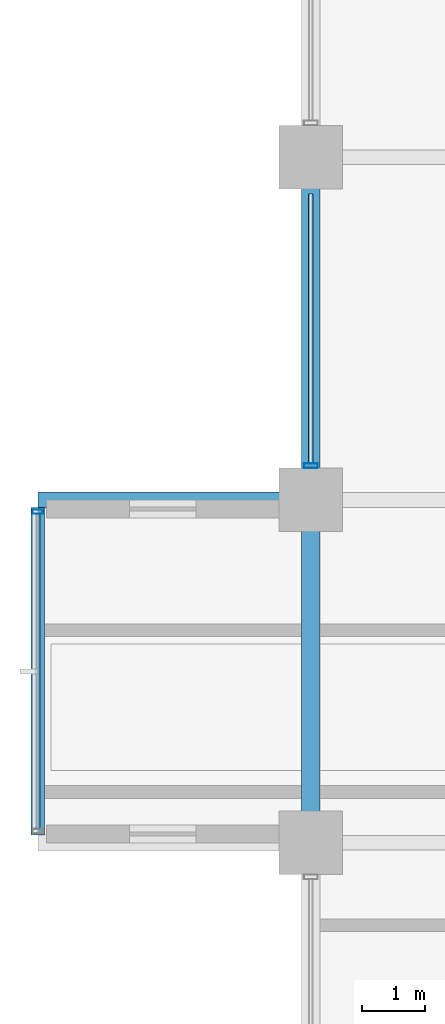
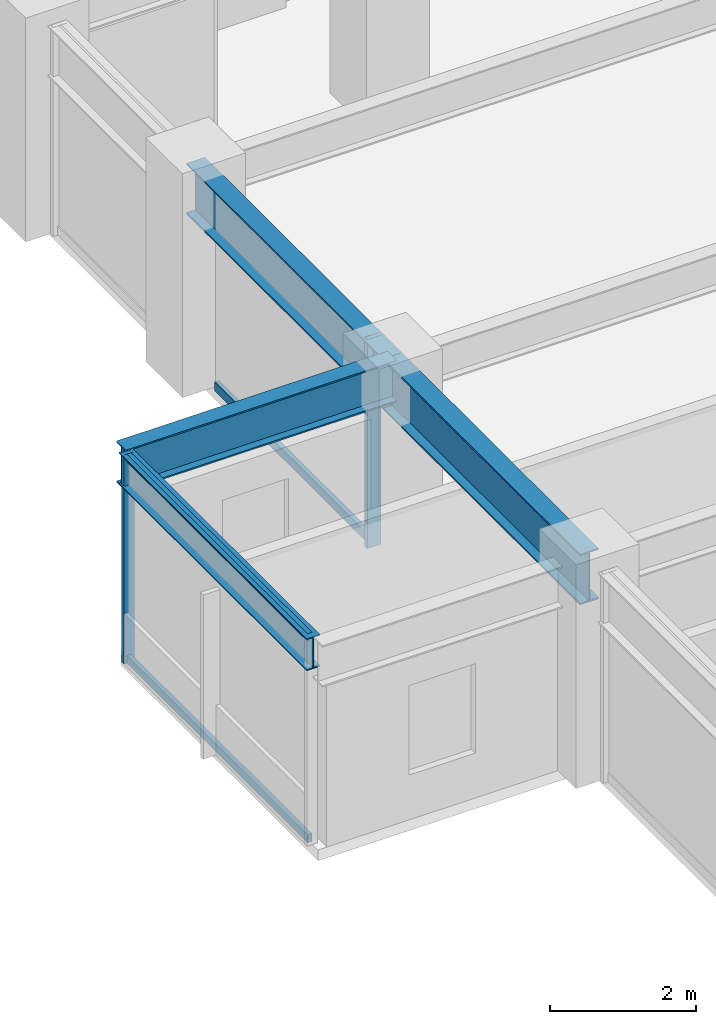
# One storey, part 10 of 29: 5 members, 4 beams, 2 elements without a shape of their own.
"""IFC4 building model written with IfcOpenShell, lengths in metres."""

from ifc_helpers import new_model, si_unit, direction, frame, origin, origin_2d, place, context, subcontext, project, spatial, hollow_rectangle, i_section, extrude, material, layer, layer_set, material_profile, profile_set, type_object, element, aggregate, save


model = new_model("IFC4")

# Units and contexts
model_context = context("Model", 3, precision=1e-05, world=origin(), true_north=direction((0.0, 1.0)))
body_context = subcontext(model_context, "Body", "Model", "MODEL_VIEW")
ifc_project = project(units=[si_unit("LENGTHUNIT", "METRE"), si_unit("AREAUNIT", "SQUARE_METRE"), si_unit("VOLUMEUNIT", "CUBIC_METRE"), si_unit("PLANEANGLEUNIT", "RADIAN"), si_unit("MASSUNIT", "GRAM", prefix="KILO")], contexts=[model_context])

# Site, building, storey
site_placement = place(None, origin())
site = spatial("IfcSite", under=ifc_project, at=site_placement, CompositionType="ELEMENT")
building_placement = place(site_placement, origin())
building = spatial("IfcBuilding", under=site, at=building_placement, Name="Surkhivell Harbour Commons", CompositionType="ELEMENT")
storey_placement = place(building_placement, frame((0.0, 0.0, 158.25)))
storey = spatial("IfcBuildingStorey", under=building, at=storey_placement, Name="L41", CompositionType="ELEMENT", Elevation=158.25)

# Beams
ifc_material_1 = material(Name="Steel S460", Category="steel")
ifc_material_profile_1 = material_profile(ifc_material_1, i_section(OverallWidth=0.256103515625, OverallDepth=0.693115234375, WebThickness=0.014404296875, FlangeThickness=0.023681640625, at=origin_2d()), Name="UB686x254x170")
ifc_profile_set_1 = profile_set([ifc_material_profile_1], Name="Steel S460")
beam_type_1 = type_object("IfcBeamType", Name="BM-CNT-686", PredefinedType="BEAM", material=ifc_profile_set_1)
beam_1_placement = place(storey_placement, frame((-32.39990234375, 10.800048828125, 3.153564453125), z_axis=(-1.0, 0.0, 0.0), x_axis=(0.0, -1.0, 0.0)))
element("IfcBeam", 1, at=beam_1_placement, inside=storey, type_object=beam_type_1, Name="L41 Box Cantilever Outrigger (-32.4,10.8)", PredefinedType="BEAM", context=body_context, shape_type="SweptSolid", body=[
    extrude(i_section(OverallWidth=0.256103515625, OverallDepth=0.693115234375, WebThickness=0.014404296875, FlangeThickness=0.023681640625, at=origin_2d()), origin(), (0.0, 0.0, 1.0), 4.300048828125),
])
ifc_material_2 = material(Name="Steel S355", Category="steel")
ifc_material_profile_2 = material_profile(ifc_material_2, i_section(OverallWidth=0.2099609375, OverallDepth=0.537109375, WebThickness=0.0107421875, FlangeThickness=0.017333984375, at=origin_2d()), Name="UB533x210x101")
ifc_profile_set_2 = profile_set([ifc_material_profile_2], Name="Steel S355")
beam_type_2 = type_object("IfcBeamType", Name="BM-GRD-533B", PredefinedType="BEAM", material=ifc_profile_set_2)
beam_2_placement = place(storey_placement, frame((-36.699951171875, 5.52197265625, 3.2314453125), z_axis=(0.0, 1.0, 0.0), x_axis=(-1.0, 0.0, 0.0)))
element("IfcBeam", 2, at=beam_2_placement, inside=storey, type_object=beam_type_2, Name="L41 Box Rim Spandrel (-36.7,5.4)", PredefinedType="BEAM", context=body_context, shape_type="SweptSolid", body=[
    extrude(i_section(OverallWidth=0.2099609375, OverallDepth=0.537109375, WebThickness=0.0107421875, FlangeThickness=0.017333984375, at=origin_2d()), origin(), (0.0, 0.0, 1.0), 5.156005859375),
])
ifc_material_profile_3 = material_profile(ifc_material_1, i_section(OverallWidth=0.2939453125, OverallDepth=0.85107421875, WebThickness=0.01611328125, FlangeThickness=0.02685546875, at=origin_2d()), Name="UB838x292x226")
ifc_profile_set_3 = profile_set([ifc_material_profile_3], Name="Steel S460")
beam_type_3 = type_object("IfcBeamType", Name="BM-SPN-838", PredefinedType="SPANDREL", material=ifc_profile_set_3)
beam_3_placement = place(storey_placement, frame((-32.39990234375, 5.39990234375, 3.074462890625), z_axis=(0.0, 1.0, 0.0), x_axis=(-1.0, 0.0, 0.0)))
element("IfcBeam", 3, at=beam_3_placement, inside=storey, type_object=beam_type_3, Name="L41 Tube Spandrel (-32.4,5.4)", PredefinedType="SPANDREL", context=body_context, shape_type="SweptSolid", body=[
    extrude(i_section(OverallWidth=0.2939453125, OverallDepth=0.85107421875, WebThickness=0.01611328125, FlangeThickness=0.02685546875, at=origin_2d()), origin(), (0.0, 0.0, 1.0), 5.400146484375),
])
beam_4_placement = place(storey_placement, frame((-32.39990234375, 10.800048828125, 3.074462890625), z_axis=(0.0, 1.0, 0.0), x_axis=(-1.0, 0.0, 0.0)))
element("IfcBeam", 4, at=beam_4_placement, inside=storey, type_object=beam_type_3, Name="L41 Tube Spandrel (-32.4,10.8)", PredefinedType="SPANDREL", context=body_context, shape_type="SweptSolid", body=[
    extrude(i_section(OverallWidth=0.2939453125, OverallDepth=0.85107421875, WebThickness=0.01611328125, FlangeThickness=0.02685546875, at=origin_2d()), origin(), (0.0, 0.0, 1.0), 5.39990234375),
])

# Curtain wall, member
ifc_material_3 = material(Name="Anodised pale-metal aluminium and insulated glazing", Category="aluminium")
ifc_layer_1 = layer(ifc_material_3, 0.1650390625)
ifc_layer_set_1 = layer_set([ifc_layer_1], Name="Anodised pale-metal aluminium and insulated glazing")
curtain_wall_type_1 = type_object("IfcCurtainWallType", Name="CW-SYS-BOX", PredefinedType="NOTDEFINED", material=ifc_layer_set_1)
curtain_wall_1_placement = place(storey_placement, origin())
curtain_wall_1 = element("IfcCurtainWall", 5, at=curtain_wall_1_placement, inside=storey, type_object=curtain_wall_type_1, Name="L41 Curtain Wall CW-L41-BOX02", PredefinedType="NOTDEFINED")
ifc_material_4 = material(Name="Champagne anodised aluminium alloy 6063-T6", Category="aluminium")
ifc_material_profile_4 = material_profile(ifc_material_4, hollow_rectangle(XDim=0.070068359375, YDim=0.1650390625, WallThickness=0.00341796875, at=origin_2d()), Name="ALU-MULL-70x165")
ifc_profile_set_4 = profile_set([ifc_material_profile_4], Name="Champagne anodised aluminium alloy 6063-T6")
member_type_1 = type_object("IfcMemberType", Name="CWM-165", PredefinedType="MULLION", material=ifc_profile_set_4)
member_1_placement = place(storey_placement, frame((-36.699951171875, 10.614990234375, 0.0), z_axis=(0.0, 0.0, 1.0), x_axis=(0.0, 1.0, 0.0)))
member_1 = element("IfcMember", 6, at=member_1_placement, type_object=member_type_1, Name="CW-BOX mullion 2", PredefinedType="MULLION", context=body_context, shape_type="SweptSolid", body=[
    extrude(hollow_rectangle(XDim=0.070068359375, YDim=0.1650390625, WallThickness=0.00341796875, at=origin_2d()), origin(), (0.0, 0.0, 1.0), 3.5),
])

ifc_layer_2 = layer(ifc_material_3, 0.205078125)
ifc_layer_set_2 = layer_set([ifc_layer_2], Name="Anodised pale-metal aluminium and insulated glazing")
curtain_wall_type_2 = type_object("IfcCurtainWallType", Name="CW-SYS-Z2", PredefinedType="NOTDEFINED", material=ifc_layer_set_2)
curtain_wall_2_placement = place(storey_placement, origin())
curtain_wall_2 = element("IfcCurtainWall", 7, at=curtain_wall_2_placement, inside=storey, type_object=curtain_wall_type_2, Name="L41 Curtain Wall CW-L41-E12R2", PredefinedType="NOTDEFINED")
ifc_material_5 = material(Name="Anodised pale-metal aluminium alloy 6063-T6", Category="aluminium")
ifc_material_profile_5 = material_profile(ifc_material_5, hollow_rectangle(XDim=0.074951171875, YDim=0.219970703125, WallThickness=0.00390625, at=origin_2d()), Name="ALU-MULL-75x220")
ifc_profile_set_5 = profile_set([ifc_material_profile_5], Name="Anodised pale-metal aluminium alloy 6063-T6")
member_type_2 = type_object("IfcMemberType", Name="CWM-220", PredefinedType="MULLION", material=ifc_profile_set_5)
member_2_placement = place(storey_placement, frame((-32.39990234375, 11.339599609375, 0.0), z_axis=(0.0, 0.0, 1.0), x_axis=(0.0, 1.0, 0.0)))
member_2 = element("IfcMember", 8, at=member_2_placement, type_object=member_type_2, Name="CW-Z2 mullion 1", PredefinedType="MULLION", context=body_context, shape_type="SweptSolid", body=[
    extrude(hollow_rectangle(XDim=0.074951171875, YDim=0.219970703125, WallThickness=0.00390625, at=origin_2d()), origin(), (0.0, 0.0, 1.0), 3.5),
])

# Member
ifc_material_profile_6 = material_profile(ifc_material_4, hollow_rectangle(XDim=0.070068359375, YDim=0.1298828125, WallThickness=0.00341796875, at=origin_2d()), Name="ALU-TRAN-70x130")
ifc_profile_set_6 = profile_set([ifc_material_profile_6], Name="Champagne anodised aluminium alloy 6063-T6")
member_type_3 = type_object("IfcMemberType", Name="CWT-130", PredefinedType="USERDEFINED", material=ifc_profile_set_6)
member_3_placement = place(storey_placement, frame((-36.699951171875, 5.6201171875, 0.06494140625), z_axis=(0.0, 1.0, 0.0), x_axis=(-1.0, 0.0, 0.0)))
member_3 = element("IfcMember", 9, at=member_3_placement, type_object=member_type_3, Name="CW-BOX transom 1.1", ObjectType="TRANSOM", PredefinedType="USERDEFINED", context=body_context, shape_type="SweptSolid", body=[
    extrude(hollow_rectangle(XDim=0.070068359375, YDim=0.1298828125, WallThickness=0.00341796875, at=origin_2d()), origin(), (0.0, 0.0, 1.0), 4.9599609375),
])

member_4_placement = place(storey_placement, frame((-36.699951171875, 5.6201171875, 3.43505859375), z_axis=(0.0, 1.0, 0.0), x_axis=(-1.0, 0.0, 0.0)))
member_4 = element("IfcMember", 10, at=member_4_placement, type_object=member_type_3, Name="CW-BOX transom 1.2", ObjectType="TRANSOM", PredefinedType="USERDEFINED", context=body_context, shape_type="SweptSolid", body=[
    extrude(hollow_rectangle(XDim=0.070068359375, YDim=0.1298828125, WallThickness=0.00341796875, at=origin_2d()), origin(), (0.0, 0.0, 1.0), 4.9599609375),
])

aggregate(curtain_wall_1, [member_1, member_3, member_4])

ifc_material_profile_7 = material_profile(ifc_material_5, hollow_rectangle(XDim=0.074951171875, YDim=0.14990234375, WallThickness=0.00341796875, at=origin_2d()), Name="ALU-TRAN-75x150")
ifc_profile_set_7 = profile_set([ifc_material_profile_7], Name="Anodised pale-metal aluminium alloy 6063-T6")
member_type_4 = type_object("IfcMemberType", Name="CWT-150", PredefinedType="USERDEFINED", material=ifc_profile_set_7)
member_5_placement = place(storey_placement, frame((-32.39990234375, 11.376953125, 0.074951171875), z_axis=(0.0, 1.0, 0.0), x_axis=(-1.0, 0.0, 0.0)))
member_5 = element("IfcMember", 11, at=member_5_placement, type_object=member_type_4, Name="CW-Z2 transom 1.1", ObjectType="TRANSOM", PredefinedType="USERDEFINED", context=body_context, shape_type="SweptSolid", body=[
    extrude(hollow_rectangle(XDim=0.074951171875, YDim=0.14990234375, WallThickness=0.00341796875, at=origin_2d()), origin(), (0.0, 0.0, 1.0), 4.24609375),
])

aggregate(curtain_wall_2, [member_2, member_5])

save(model, "model.ifc")
